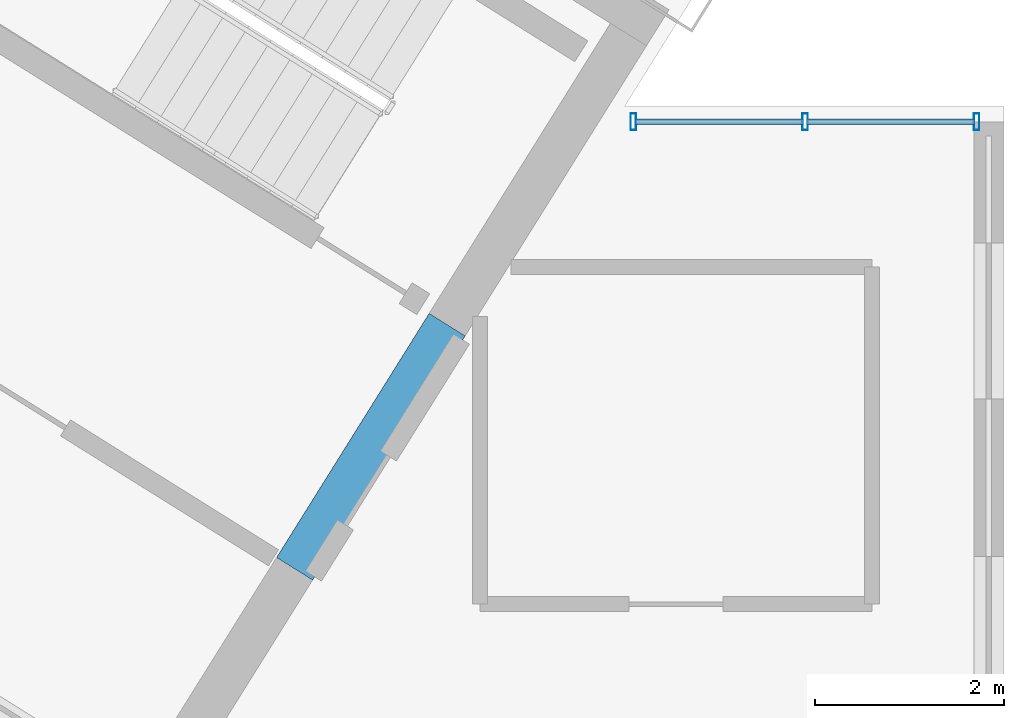
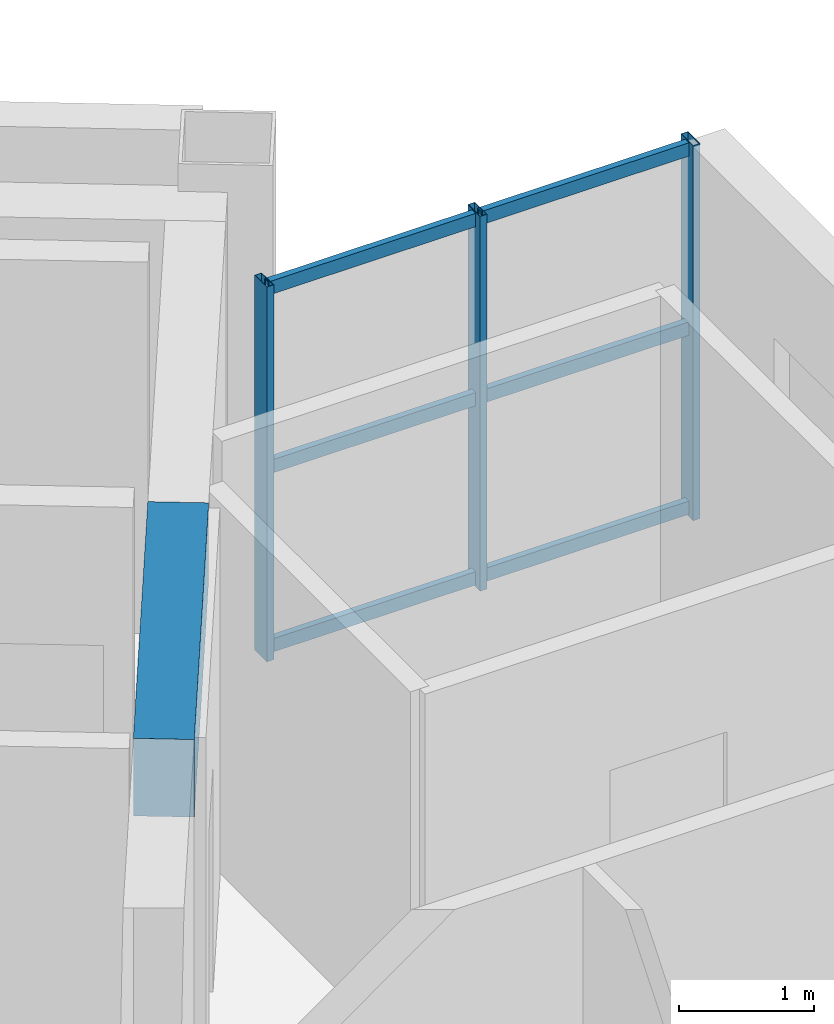
# One storey, part 6 of 17: 9 members, 1 beam, 1 element without a shape of its own.
"""IFC4 building model written with IfcOpenShell, lengths in metres."""

import ifcopenshell
import ifcopenshell.guid

model = None  # the IFC model being written
_history = None  # IfcOwnerHistory: only IFC2X3 demands one
_inside = {}  # id of a spatial element -> (the spatial element, [elements in it])
_under = {}  # id of a project, library or spatial element -> (it, [spatial elements below it])
_declared = {}  # id of a project -> (the project, [libraries it declares])
_typed = {}  # id of a type object -> (the type object, [elements of that type])
_made_of = {}  # id of a material, layer set ... -> (it, [elements and type objects made of it])


def new_model(schema):
    """Start an empty IFC model of exactly this schema.

    Asked for "IFC4X3", IfcOpenShell would pick the latest addendum, in which some entities
    have other attributes; the version numbers below select the first issue.
    IFC2X3 requires an IfcOwnerHistory on every rooted entity: one is made here for all.
    """
    global model, _history
    if schema == "IFC4X3":
        model = ifcopenshell.file(schema_version=(4, 3, 0, 0))
    else:
        model = ifcopenshell.file(schema=schema)
    _inside.clear()
    _under.clear()
    _declared.clear()
    _typed.clear()
    _made_of.clear()
    _history = None
    if model.schema == "IFC2X3":
        org = make("IfcOrganization", Name="unknown")
        user = make(
            "IfcPersonAndOrganization",
            ThePerson=make("IfcPerson", FamilyName="unknown"),
            TheOrganization=org,
        )
        app = make(
            "IfcApplication",
            ApplicationDeveloper=org,
            Version="unknown",
            ApplicationFullName="unknown",
            ApplicationIdentifier="unknown",
        )
        _history = make(
            "IfcOwnerHistory",
            OwningUser=user,
            OwningApplication=app,
            ChangeAction="ADDED",
            CreationDate=0,
        )
    return model


def make(cls, **values):
    """One entity of the class cls with the attributes given. An attribute that is None is left unset."""
    return model.create_entity(
        cls, **{name: value for name, value in values.items() if value is not None}
    )


def rooted(cls, **values):
    """An entity with a GlobalId (a new one), such as an element, a storey or a relation."""
    return make(cls, GlobalId=ifcopenshell.guid.new(), OwnerHistory=_history, **values)


def si_unit(unit_type, name, prefix=None):
    """IfcSIUnit, for example si_unit("LENGTHUNIT", "METRE", prefix="MILLI")."""
    return make("IfcSIUnit", UnitType=unit_type, Prefix=prefix, Name=name)


def assignment(units):
    """IfcUnitAssignment: the units of a project."""
    return None if units is None else make("IfcUnitAssignment", Units=units)


def point(xyz):
    """IfcCartesianPoint."""
    return None if xyz is None else make("IfcCartesianPoint", Coordinates=xyz)


def direction(xyz):
    """IfcDirection."""
    return None if xyz is None else make("IfcDirection", DirectionRatios=xyz)


def frame(location, z_axis=None, x_axis=None):
    """IfcAxis2Placement3D, a coordinate frame: its origin and axes. An axis left out is left unset."""
    return make(
        "IfcAxis2Placement3D",
        Location=point(location),
        Axis=direction(z_axis),
        RefDirection=direction(x_axis),
    )


def frame_2d(location, x_axis=None):
    """IfcAxis2Placement2D, a coordinate frame in the plane: its origin and x axis."""
    return make(
        "IfcAxis2Placement2D", Location=point(location), RefDirection=direction(x_axis)
    )


def origin():
    """The frame at (0, 0, 0) with its axes left unset."""
    return frame((0.0, 0.0, 0.0))


def origin_2d():
    """The frame at (0, 0) in the plane with its x axis left unset."""
    return frame_2d((0.0, 0.0))


def place(relative_to, where):
    """IfcLocalPlacement: puts the frame where relative to a parent placement (None: the world)."""
    return make(
        "IfcLocalPlacement", PlacementRelTo=relative_to, RelativePlacement=where
    )


def context(
    kind, dimensions, precision=None, world=None, true_north=None, identifier=None
):
    """IfcGeometricRepresentationContext, for example the 3D "Model" context."""
    return make(
        "IfcGeometricRepresentationContext",
        ContextIdentifier=identifier,
        ContextType=kind,
        CoordinateSpaceDimension=dimensions,
        Precision=precision,
        WorldCoordinateSystem=world,
        TrueNorth=true_north,
    )


def subcontext(parent, identifier, kind, view, scale=None):
    """IfcGeometricRepresentationSubContext, for example "Body" below "Model"."""
    return make(
        "IfcGeometricRepresentationSubContext",
        ContextIdentifier=identifier,
        ContextType=kind,
        ParentContext=parent,
        TargetScale=scale,
        TargetView=view,
    )


def project(units=None, contexts=None):
    """IfcProject with its units and contexts."""
    return rooted(
        "IfcProject",
        Name="project",
        RepresentationContexts=contexts,
        UnitsInContext=assignment(units),
    )


def spatial(cls, under=None, at=None, **own):
    """A site, building, storey or space (cls), placed at a placement, below another one or the project."""
    s = rooted(cls, ObjectPlacement=at, **own)
    if under is not None:
        _under.setdefault(under.id(), (under, []))[1].append(s)
    return s


def profile(cls, at=None, kind="AREA", **sizes):
    """A parametric profile (cls). Its sizes go by their IFC names, for example OverallWidth=200.0."""
    return make(cls, ProfileType=kind, Position=at, **sizes)


def rectangle(**sizes):
    """IfcRectangleProfileDef."""
    return profile("IfcRectangleProfileDef", **sizes)


def hollow_rectangle(**sizes):
    """IfcRectangleHollowProfileDef."""
    return profile("IfcRectangleHollowProfileDef", **sizes)


def extrude(swept, where, along, depth):
    """IfcExtrudedAreaSolid: the profile swept, set in the frame where, extruded along a direction by depth."""
    return make(
        "IfcExtrudedAreaSolid",
        SweptArea=swept,
        Position=where,
        ExtrudedDirection=direction(along),
        Depth=depth,
    )


def shape(context_of_items, identifier, shape_type, items):
    """IfcShapeRepresentation: the items that make up one representation, for example the "Body"."""
    return make(
        "IfcShapeRepresentation",
        ContextOfItems=context_of_items,
        RepresentationIdentifier=identifier,
        RepresentationType=shape_type,
        Items=items,
    )


def source(mapping_origin, context_of_items, identifier, shape_type, items):
    """IfcRepresentationMap: a shape defined once, which mapped items show again and again."""
    return make(
        "IfcRepresentationMap",
        MappingOrigin=mapping_origin,
        MappedRepresentation=shape(context_of_items, identifier, shape_type, items),
    )


def transform(
    local_origin,
    x_axis=None,
    y_axis=None,
    z_axis=None,
    scale=None,
    scale2=None,
    scale3=None,
    uniform=True,
):
    """IfcCartesianTransformationOperator3D, or its non-uniform kind. x_axis, y_axis, z_axis: its Axis1, 2, 3."""
    if uniform:
        return make(
            "IfcCartesianTransformationOperator3D",
            Axis1=direction(x_axis),
            Axis2=direction(y_axis),
            LocalOrigin=point(local_origin),
            Scale=scale,
            Axis3=direction(z_axis),
        )
    return make(
        "IfcCartesianTransformationOperator3DnonUniform",
        Axis1=direction(x_axis),
        Axis2=direction(y_axis),
        LocalOrigin=point(local_origin),
        Scale=scale,
        Axis3=direction(z_axis),
        Scale2=scale2,
        Scale3=scale3,
    )


def mapped(mapping_source, mapping_target):
    """IfcMappedItem: shows the shape of a source again, moved by a transform."""
    return make(
        "IfcMappedItem", MappingSource=mapping_source, MappingTarget=mapping_target
    )


def material(Name=None, Category=None):
    """IfcMaterial."""
    return make("IfcMaterial", Name=Name, Category=Category)


def material_profile(
    of_material, cross_section, Name=None, Category=None, Priority=None
):
    """IfcMaterialProfile: a cross section and its material."""
    return make(
        "IfcMaterialProfile",
        Name=Name,
        Material=of_material,
        Profile=cross_section,
        Priority=Priority,
        Category=Category,
    )


def profile_set(profiles, Name=None, composite=None):
    """IfcMaterialProfileSet."""
    return make(
        "IfcMaterialProfileSet",
        Name=Name,
        MaterialProfiles=profiles,
        CompositeProfile=composite,
    )


def made_of(thing, what):
    """Note that an element or type object is made of a material, layer set ...; save() writes the relation."""
    if what is not None:
        _made_of.setdefault(what.id(), (what, []))[1].append(thing)
    return thing


def type_object(cls, material=None, **own):
    """A type object (cls), such as IfcWallType, which elements share."""
    return made_of(rooted(cls, **own), material)


def element(
    cls,
    number,
    at=None,
    inside=None,
    cuts=None,
    type_object=None,
    material=None,
    context=None,
    identifier="Body",
    shape_type=None,
    held_by="IfcProductDefinitionShape",
    body=None,
    shapes=None,
    **own,
):
    """One element of the class cls, such as IfcWall. Its Tag is "e" and its number.

    at: its placement. inside: the storey or other place that contains it. cuts: it is an
    opening in that element (IfcRelVoidsElement). A single representation is given by context,
    identifier, shape_type and body (its items); several are given by shapes. held_by: the class
    of the entity that holds the representations. save() writes the other relations.
    """
    e = rooted(cls, Tag="e%d" % number, ObjectPlacement=at, **own)
    if body is not None:
        shapes = [shape(context, identifier, shape_type, body)]
    if shapes is not None:
        e.Representation = make(held_by, Representations=shapes)
    if inside is not None:
        _inside.setdefault(inside.id(), (inside, []))[1].append(e)
    if cuts is not None:
        rooted(
            "IfcRelVoidsElement", RelatingBuildingElement=cuts, RelatedOpeningElement=e
        )
    if type_object is not None:
        _typed.setdefault(type_object.id(), (type_object, []))[1].append(e)
    return made_of(e, material)


def aggregate(whole, parts):
    """IfcRelAggregates: a whole, such as a stair, and the parts it consists of."""
    return rooted("IfcRelAggregates", RelatingObject=whole, RelatedObjects=parts)


def save(model, path):
    """Write the relations noted so far, then the file.

    IfcRelAggregates (storeys below a building ...), IfcRelContainedInSpatialStructure (elements
    in a storey), IfcRelDefinesByType, IfcRelAssociatesMaterial and IfcRelDeclares: one each for
    every whole, place, type object, material and project.
    """
    for whole, parts in _under.values():
        aggregate(whole, parts)
    for where, things in _inside.values():
        rooted(
            "IfcRelContainedInSpatialStructure",
            RelatedElements=things,
            RelatingStructure=where,
        )
    for kind, things in _typed.values():
        rooted("IfcRelDefinesByType", RelatedObjects=things, RelatingType=kind)
    for what, things in _made_of.values():
        rooted("IfcRelAssociatesMaterial", RelatedObjects=things, RelatingMaterial=what)
    for by, libraries in _declared.values():
        rooted("IfcRelDeclares", RelatingContext=by, RelatedDefinitions=libraries)
    model.write(path)


model = new_model("IFC4")

# Units and contexts
model_context = context("Model", 3, precision=1e-05, world=origin(), true_north=direction((0.0, 1.0)))
body_context = subcontext(model_context, "Body", "Model", "MODEL_VIEW")
ifc_project = project(units=[si_unit("LENGTHUNIT", "METRE"), si_unit("AREAUNIT", "SQUARE_METRE"), si_unit("VOLUMEUNIT", "CUBIC_METRE"), si_unit("PLANEANGLEUNIT", "RADIAN"), si_unit("MASSUNIT", "GRAM", prefix="KILO")], contexts=[model_context])

# Site, building, storey
site_placement = place(None, origin())
site = spatial("IfcSite", under=ifc_project, at=site_placement, CompositionType="ELEMENT")
building_placement = place(site_placement, origin())
building = spatial("IfcBuilding", under=site, at=building_placement, Name="Tlacorven Tower", CompositionType="ELEMENT")
storey_placement = place(building_placement, frame((0.0, 0.0, 270.0)))
storey = spatial("IfcBuildingStorey", under=building, at=storey_placement, Name="L68", CompositionType="ELEMENT", Elevation=270.0)

# Beam
ifc_material_1 = material(Name="Concrete C60/75", Category="concrete")
ifc_material_profile_1 = material_profile(ifc_material_1, rectangle(XDim=0.449951171875, YDim=0.699951171875, at=origin_2d()), Name="RC 450X700")
ifc_profile_set_1 = profile_set([ifc_material_profile_1], Name="Concrete C60/75")
beam_type = type_object("IfcBeamType", Name="BM-LNT-700", PredefinedType="LINTEL", material=ifc_profile_set_1)
shared_shape_1 = source(origin(), body_context, "Body", "SweptSolid", [
    extrude(rectangle(XDim=0.449951171875, YDim=0.699951171875, at=origin_2d()), origin(), (0.0, 0.0, 1.0), 3.050048828125),
])
beam_placement = place(storey_placement, frame((38.2998046875, 20.890625, 3.0), z_axis=(-0.529984549635, -0.848007297815, 0.0), x_axis=(0.848007297815, -0.529984549635, 0.0)))
element("IfcBeam", 1, at=beam_placement, inside=storey, type_object=beam_type, Name="L68 W core coupling lintel beam E1", PredefinedType="LINTEL", context=body_context, shape_type="MappedRepresentation", body=[
    mapped(shared_shape_1, transform((0.0, 0.0, 0.0), scale=1.0)),
])

# Curtain wall, members
ifc_material_2 = material(Name="Dark solar low-E double glazing in aluminium frame", Category="aluminium")
curtain_wall_type = type_object("IfcCurtainWallType", Name="CW-TWR-HIGH", PredefinedType="USERDEFINED", material=ifc_material_2)
curtain_wall_placement = place(storey_placement, origin())
curtain_wall = element("IfcCurtainWall", 2, at=curtain_wall_placement, inside=storey, type_object=curtain_wall_type, Name="L68 CW-TWR-HIGH Curtain Wall 318", ObjectType="UNITISED CURTAIN WALL", PredefinedType="USERDEFINED")
ifc_material_3 = material(Name="Aluminium 6063-T6 anodised", Category="aluminium")
ifc_material_profile_2 = material_profile(ifc_material_3, hollow_rectangle(XDim=0.06005859375, YDim=0.179931640625, WallThickness=0.00390625, at=origin_2d()), Name="ALU MULLION 60X180")
ifc_profile_set_2 = profile_set([ifc_material_profile_2], Name="Aluminium 6063-T6 anodised")
member_type_1 = type_object("IfcMemberType", Name="CWM-03", PredefinedType="MULLION", material=ifc_profile_set_2)
shared_shape_2 = source(origin(), body_context, "Body", "SweptSolid", [
    extrude(hollow_rectangle(XDim=0.06005859375, YDim=0.179931640625, WallThickness=0.00390625, at=origin_2d()), origin(), (0.0, 0.0, 1.0), 3.380126953125),
])
member_1_placement = place(storey_placement, frame((40.27392578125, 23.0400390625, -0.02001953125), z_axis=(0.0, 0.0, 1.0), x_axis=(1.0, 0.0, 0.0)))
member_1 = element("IfcMember", 3, at=member_1_placement, type_object=member_type_1, Name="CW-L68-318 Mullion 1", PredefinedType="MULLION", context=body_context, shape_type="MappedRepresentation", body=[
    mapped(shared_shape_2, transform((0.0, 0.0, 0.0), scale=1.0)),
])
member_2_placement = place(storey_placement, frame((42.092041015625, 23.0400390625, -0.02001953125), z_axis=(0.0, 0.0, 1.0), x_axis=(1.0, 0.0, 0.0)))
member_2 = element("IfcMember", 4, at=member_2_placement, type_object=member_type_1, Name="CW-L68-318 Mullion 2", PredefinedType="MULLION", context=body_context, shape_type="MappedRepresentation", body=[
    mapped(shared_shape_2, transform((0.0, 0.0, 0.0), scale=1.0)),
])
member_3_placement = place(storey_placement, frame((43.909912109375, 23.0400390625, -0.02001953125), z_axis=(0.0, 0.0, 1.0), x_axis=(1.0, 0.0, 0.0)))
member_3 = element("IfcMember", 5, at=member_3_placement, type_object=member_type_1, Name="CW-L68-318 Mullion 3", PredefinedType="MULLION", context=body_context, shape_type="MappedRepresentation", body=[
    mapped(shared_shape_2, transform((0.0, 0.0, 0.0), scale=1.0)),
])
ifc_material_profile_3 = material_profile(ifc_material_3, hollow_rectangle(XDim=0.054931640625, YDim=0.1201171875, WallThickness=0.00341796875, at=origin_2d()), Name="ALU TRANSOM 55X120")
ifc_profile_set_3 = profile_set([ifc_material_profile_3], Name="Aluminium 6063-T6 anodised")
member_type_2 = type_object("IfcMemberType", Name="CWT-03", PredefinedType="USERDEFINED", material=ifc_profile_set_3)
shared_shape_3 = source(origin(), body_context, "Body", "SweptSolid", [
    extrude(hollow_rectangle(XDim=0.054931640625, YDim=0.1201171875, WallThickness=0.00341796875, at=origin_2d()), origin(), (0.0, 0.0, 1.0), 1.781982421875),
])
member_4_placement = place(storey_placement, frame((40.2919921875, 23.0400390625, 0.06005859375), z_axis=(1.0, 0.0, 0.0), x_axis=(0.0, 1.0, 0.0)))
member_4 = element("IfcMember", 6, at=member_4_placement, type_object=member_type_2, Name="CW-L68-318 Transom 1", ObjectType="TRANSOM", PredefinedType="USERDEFINED", context=body_context, shape_type="MappedRepresentation", body=[
    mapped(shared_shape_3, transform((0.0, 0.0, 0.0), scale=1.0)),
])
member_5_placement = place(storey_placement, frame((40.2919921875, 23.0400390625, 1.675048828125), z_axis=(1.0, 0.0, 0.0), x_axis=(0.0, 1.0, 0.0)))
member_5 = element("IfcMember", 7, at=member_5_placement, type_object=member_type_2, Name="CW-L68-318 Transom 2", ObjectType="TRANSOM", PredefinedType="USERDEFINED", context=body_context, shape_type="MappedRepresentation", body=[
    mapped(shared_shape_3, transform((0.0, 0.0, 0.0), scale=1.0)),
])
member_6_placement = place(storey_placement, frame((40.2919921875, 23.0400390625, 3.2900390625), z_axis=(1.0, 0.0, 0.0), x_axis=(0.0, 1.0, 0.0)))
member_6 = element("IfcMember", 8, at=member_6_placement, type_object=member_type_2, Name="CW-L68-318 Transom 3", ObjectType="TRANSOM", PredefinedType="USERDEFINED", context=body_context, shape_type="MappedRepresentation", body=[
    mapped(shared_shape_3, transform((0.0, 0.0, 0.0), scale=1.0)),
])
shared_shape_4 = source(origin(), body_context, "Body", "SweptSolid", [
    extrude(hollow_rectangle(XDim=0.054931640625, YDim=0.1201171875, WallThickness=0.00341796875, at=origin_2d()), origin(), (0.0, 0.0, 1.0), 1.7822265625),
])
member_7_placement = place(storey_placement, frame((42.10986328125, 23.0400390625, 0.06005859375), z_axis=(1.0, 0.0, 0.0), x_axis=(0.0, 1.0, 0.0)))
member_7 = element("IfcMember", 9, at=member_7_placement, type_object=member_type_2, Name="CW-L68-318 Transom 4", ObjectType="TRANSOM", PredefinedType="USERDEFINED", context=body_context, shape_type="MappedRepresentation", body=[
    mapped(shared_shape_4, transform((0.0, 0.0, 0.0), scale=1.0)),
])
member_8_placement = place(storey_placement, frame((42.10986328125, 23.0400390625, 1.675048828125), z_axis=(1.0, 0.0, 0.0), x_axis=(0.0, 1.0, 0.0)))
member_8 = element("IfcMember", 10, at=member_8_placement, type_object=member_type_2, Name="CW-L68-318 Transom 5", ObjectType="TRANSOM", PredefinedType="USERDEFINED", context=body_context, shape_type="MappedRepresentation", body=[
    mapped(shared_shape_4, transform((0.0, 0.0, 0.0), scale=1.0)),
])
member_9_placement = place(storey_placement, frame((42.10986328125, 23.0400390625, 3.2900390625), z_axis=(1.0, 0.0, 0.0), x_axis=(0.0, 1.0, 0.0)))
member_9 = element("IfcMember", 11, at=member_9_placement, type_object=member_type_2, Name="CW-L68-318 Transom 6", ObjectType="TRANSOM", PredefinedType="USERDEFINED", context=body_context, shape_type="MappedRepresentation", body=[
    mapped(shared_shape_4, transform((0.0, 0.0, 0.0), scale=1.0)),
])
aggregate(curtain_wall, [member_1, member_2, member_3, member_4, member_5, member_6, member_7, member_8, member_9])

save(model, "model.ifc")
